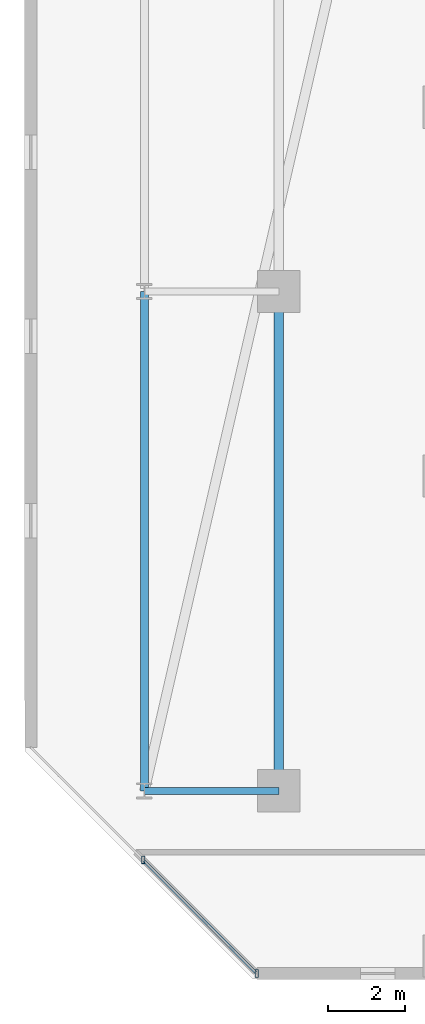
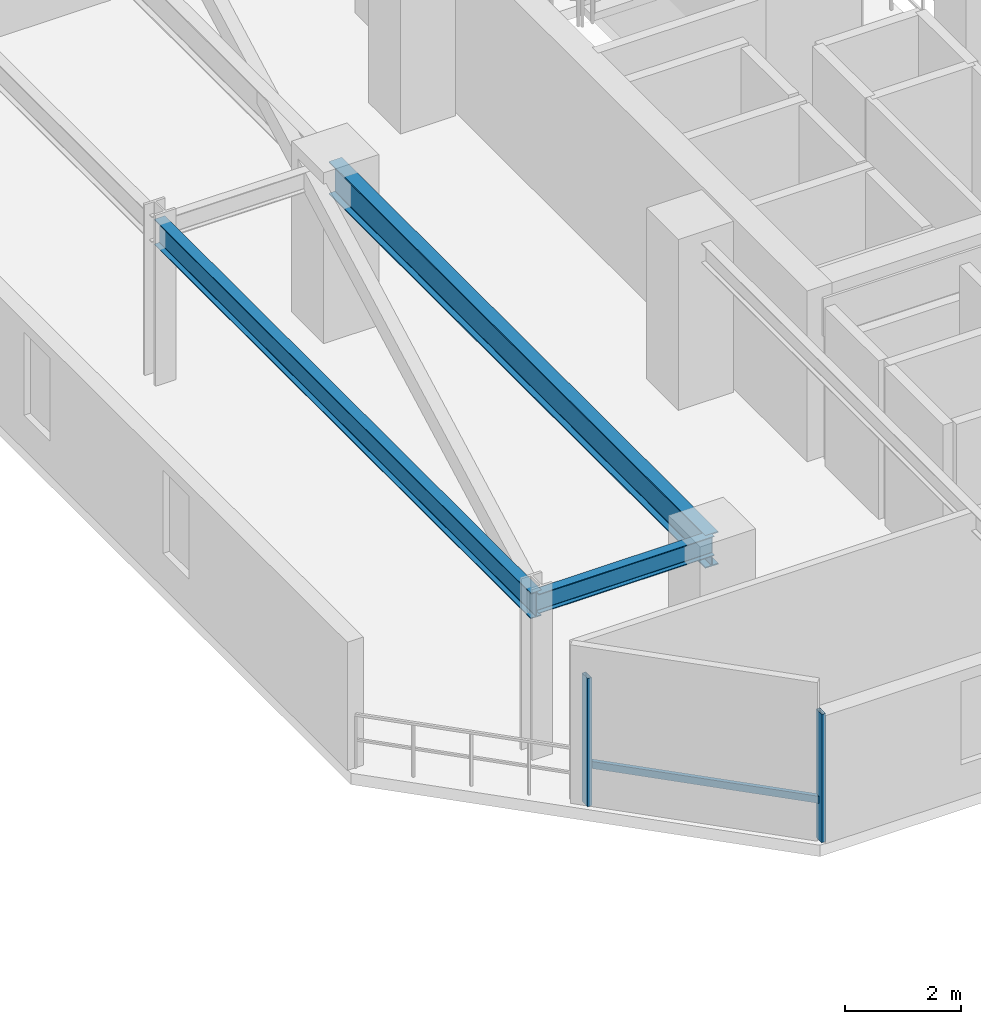
# One storey, part 6 of 32: 3 beams, 3 members, 1 element without a shape of its own.
"""IFC4 building model written with IfcOpenShell, lengths in metres."""

from ifc_helpers import new_model, si_unit, direction, frame, origin, origin_2d, place, context, subcontext, project, spatial, hollow_rectangle, i_section, extrude, material, material_profile, profile_set, type_object, element, aggregate, save


model = new_model("IFC4")

# Units and contexts
model_context = context("Model", 3, precision=1e-05, world=origin(), true_north=direction((0.0, 1.0)))
body_context = subcontext(model_context, "Body", "Model", "MODEL_VIEW")
ifc_project = project(units=[si_unit("LENGTHUNIT", "METRE"), si_unit("AREAUNIT", "SQUARE_METRE"), si_unit("VOLUMEUNIT", "CUBIC_METRE"), si_unit("PLANEANGLEUNIT", "RADIAN"), si_unit("MASSUNIT", "GRAM", prefix="KILO")], contexts=[model_context])

# Site, building, storey
site_placement = place(None, origin())
site = spatial("IfcSite", under=ifc_project, at=site_placement, CompositionType="ELEMENT")
building_placement = place(site_placement, origin())
building = spatial("IfcBuilding", under=site, at=building_placement, Name="Thornwick Lancets Civic Towers", CompositionType="ELEMENT")
storey_placement = place(building_placement, frame((0.0, 0.0, 178.5)))
storey = spatial("IfcBuildingStorey", under=building, at=storey_placement, Name="L47", CompositionType="ELEMENT", Elevation=178.5)

# Beams
ifc_material_1 = material(Name="Steel S355JR", Category="steel")
ifc_material_profile_1 = material_profile(ifc_material_1, i_section(OverallWidth=0.210693359375, OverallDepth=0.53955078125, WebThickness=0.01171875, FlangeThickness=0.018798828125, FilletRadius=0.0126953125, at=origin_2d()), Name="UKB 533x210x109")
ifc_profile_set_1 = profile_set([ifc_material_profile_1], Name="Steel S355JR")
beam_type_1 = type_object("IfcBeamType", Name="BM_EDGE_533_109", PredefinedType="SPANDREL", material=ifc_profile_set_1)
beam_1_placement = place(storey_placement, frame((67.699951171875, 14.0, 3.09033203125), z_axis=(0.0, 1.0, 0.0), x_axis=(-1.0, 0.0, 0.0)))
element("IfcBeam", 1, at=beam_1_placement, inside=storey, type_object=beam_type_1, Name="BM-EDGE-L47-B-S2-1", PredefinedType="SPANDREL", context=body_context, shape_type="SweptSolid", body=[
    extrude(i_section(OverallWidth=0.210693359375, OverallDepth=0.53955078125, WebThickness=0.01171875, FlangeThickness=0.018798828125, FilletRadius=0.0126953125, at=origin_2d()), origin(), (0.0, 0.0, 1.0), 13.0),
])
ifc_material_profile_2 = material_profile(ifc_material_1, i_section(OverallWidth=0.255859375, OverallDepth=0.69287109375, WebThickness=0.014404296875, FlangeThickness=0.023681640625, FilletRadius=0.01513671875, at=origin_2d()), Name="UKB 686x254x170")
ifc_profile_set_2 = profile_set([ifc_material_profile_2], Name="Steel S355JR")
beam_type_2 = type_object("IfcBeamType", Name="BM_GIRD_686_170", PredefinedType="BEAM", material=ifc_profile_set_2)
beam_2_placement = place(storey_placement, frame((71.199951171875, 14.0, 3.013671875), z_axis=(0.0, 1.0, 0.0), x_axis=(-1.0, 0.0, 0.0)))
element("IfcBeam", 2, at=beam_2_placement, inside=storey, type_object=beam_type_2, Name="BM-SPINE-L47-B-6-7", PredefinedType="BEAM", context=body_context, shape_type="SweptSolid", body=[
    extrude(i_section(OverallWidth=0.255859375, OverallDepth=0.69287109375, WebThickness=0.014404296875, FlangeThickness=0.023681640625, FilletRadius=0.01513671875, at=origin_2d()), origin(), (0.0, 0.0, 1.0), 13.0),
])
ifc_material_profile_3 = material_profile(ifc_material_1, i_section(OverallWidth=0.179443359375, OverallDepth=0.412841796875, WebThickness=0.009521484375, FlangeThickness=0.01611328125, FilletRadius=0.01025390625, at=origin_2d()), Name="UKB 406x178x74")
ifc_profile_set_3 = profile_set([ifc_material_profile_3], Name="Steel S355JR")
beam_type_3 = type_object("IfcBeamType", Name="BM_JOIST_406_74", PredefinedType="JOIST", material=ifc_profile_set_3)
beam_3_placement = place(storey_placement, frame((71.199951171875, 14.0, 3.153564453125), z_axis=(-1.0, 0.0, 0.0), x_axis=(0.0, -1.0, 0.0)))
element("IfcBeam", 3, at=beam_3_placement, inside=storey, type_object=beam_type_3, Name="BM-RAD-L47-B07", PredefinedType="JOIST", context=body_context, shape_type="SweptSolid", body=[
    extrude(i_section(OverallWidth=0.179443359375, OverallDepth=0.412841796875, WebThickness=0.009521484375, FlangeThickness=0.01611328125, FilletRadius=0.01025390625, at=origin_2d()), origin(), (0.0, 0.0, 1.0), 3.5),
])

# Curtain wall, members
ifc_material_2 = material(Name="Mid-zone chamfered-corner unitised glass curtain wall", Category="glass")
curtain_wall_type = type_object("IfcCurtainWallType", Name="CW_SYS_04", PredefinedType="NOTDEFINED", material=ifc_material_2)
curtain_wall_placement = place(storey_placement, origin())
curtain_wall = element("IfcCurtainWall", 4, at=curtain_wall_placement, inside=storey, type_object=curtain_wall_type, Name="L47 Curtain Wall CW-L47-B-E7", PredefinedType="NOTDEFINED")
ifc_material_3 = material(Name="Thermally broken bronze aluminium S355", Category="steel")
ifc_material_profile_4 = material_profile(ifc_material_3, hollow_rectangle(XDim=0.080078125, YDim=0.199951171875, WallThickness=0.006103515625, at=origin_2d()), Name="RHS 200x80x6")
ifc_profile_set_4 = profile_set([ifc_material_profile_4], Name="Thermally broken bronze aluminium S355")
member_type_1 = type_object("IfcMemberType", Name="CW_MUL_200", PredefinedType="MULLION", material=ifc_profile_set_4)
member_1_placement = place(storey_placement, frame((67.6708984375, 12.203125, 0.0), z_axis=(0.0, 0.0, 1.0), x_axis=(1.0, 0.0, 0.0)))
member_1 = element("IfcMember", 5, at=member_1_placement, type_object=member_type_1, Name="CW-L47-B-E7 Mullion 0", PredefinedType="MULLION", context=body_context, shape_type="SweptSolid", body=[
    extrude(hollow_rectangle(XDim=0.080078125, YDim=0.199951171875, WallThickness=0.006103515625, at=origin_2d()), origin(), (0.0, 0.0, 1.0), 2.699951171875),
])
member_2_placement = place(storey_placement, frame((70.627685546875, 9.246337890625, 0.0), z_axis=(0.0, 0.0, 1.0), x_axis=(1.0, 0.0, 0.0)))
member_2 = element("IfcMember", 6, at=member_2_placement, type_object=member_type_1, Name="CW-L47-B-E7 Mullion 1", PredefinedType="MULLION", context=body_context, shape_type="SweptSolid", body=[
    extrude(hollow_rectangle(XDim=0.080078125, YDim=0.199951171875, WallThickness=0.006103515625, at=origin_2d()), origin(), (0.0, 0.0, 1.0), 2.699951171875),
])
ifc_material_profile_5 = material_profile(ifc_material_3, hollow_rectangle(XDim=0.074951171875, YDim=0.14990234375, WallThickness=0.0048828125, at=origin_2d()), Name="RHS 150x75x5")
ifc_profile_set_5 = profile_set([ifc_material_profile_5], Name="Thermally broken bronze aluminium S355")
member_type_2 = type_object("IfcMemberType", Name="CW_TRN_150", PredefinedType="USERDEFINED", material=ifc_profile_set_5)
member_3_placement = place(storey_placement, frame((67.68505859375, 12.18896484375, 0.85009765625), z_axis=(0.707136254407, -0.707077306737, 0.0), x_axis=(0.707077306737, 0.707136254407, 0.0)))
member_3 = element("IfcMember", 7, at=member_3_placement, type_object=member_type_2, Name="CW-L47-B-E7 Transom 0", ObjectType="TRANSOM", PredefinedType="USERDEFINED", context=body_context, shape_type="SweptSolid", body=[
    extrude(hollow_rectangle(XDim=0.074951171875, YDim=0.14990234375, WallThickness=0.0048828125, at=origin_2d()), origin(), (0.0, 0.0, 1.0), 4.1416015625),
])
aggregate(curtain_wall, [member_1, member_2, member_3])

save(model, "model.ifc")
